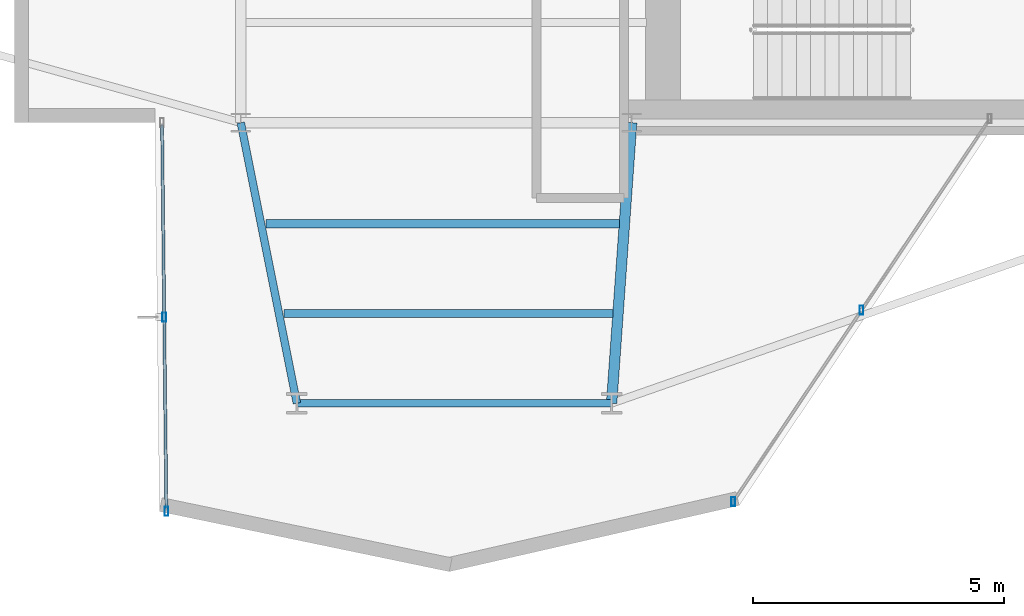
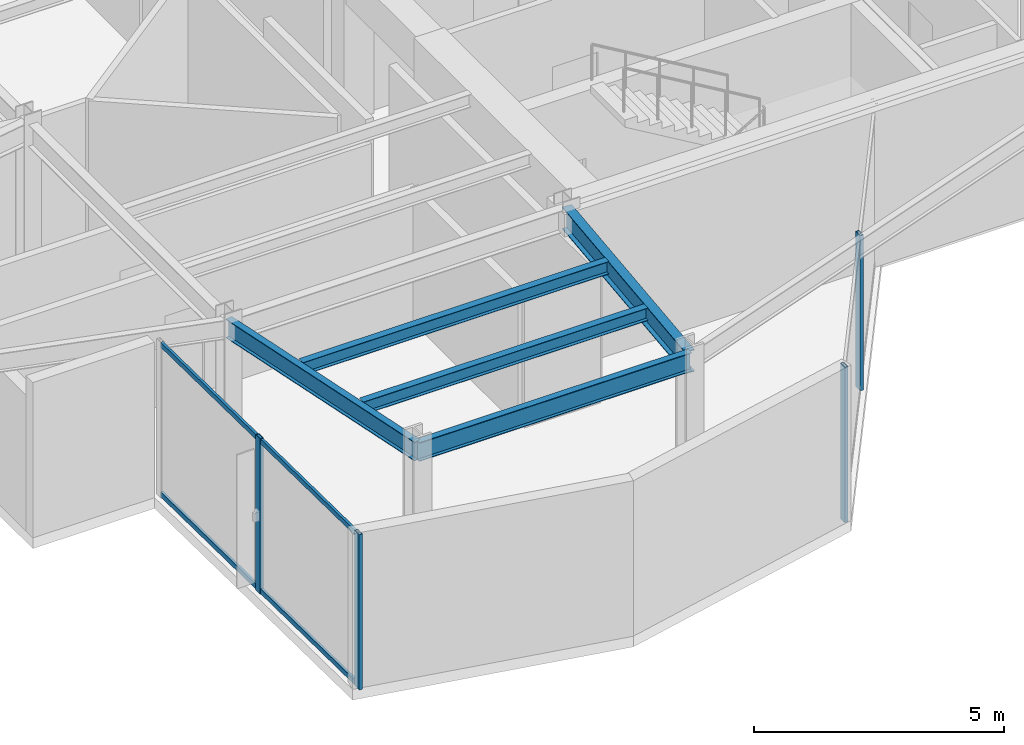
# One storey, part 6 of 22: 6 members, 5 beams, 2 elements without a shape of their own.
"""IFC4 building model written with IfcOpenShell, lengths in metres."""

from ifc_helpers import new_model, si_unit, direction, frame, origin, origin_2d, place, context, subcontext, project, spatial, hollow_rectangle, i_section, extrude, material, layer, layer_set, material_profile, profile_set, type_object, element, aggregate, save


model = new_model("IFC4")

# Units and contexts
model_context = context("Model", 3, precision=1e-05, world=origin(), true_north=direction((0.0, 1.0)))
body_context = subcontext(model_context, "Body", "Model", "MODEL_VIEW")
ifc_project = project(units=[si_unit("LENGTHUNIT", "METRE"), si_unit("AREAUNIT", "SQUARE_METRE"), si_unit("VOLUMEUNIT", "CUBIC_METRE"), si_unit("PLANEANGLEUNIT", "RADIAN"), si_unit("MASSUNIT", "GRAM", prefix="KILO")], contexts=[model_context])

# Site, building, storey
site_placement = place(None, origin())
site = spatial("IfcSite", under=ifc_project, at=site_placement, CompositionType="ELEMENT")
building_placement = place(site_placement, origin())
building = spatial("IfcBuilding", under=site, at=building_placement, Name="Veymaron Broadcast Tower", CompositionType="ELEMENT")
storey_placement = place(building_placement, frame((0.0, 0.0, 208.050048828125)))
storey = spatial("IfcBuildingStorey", under=building, at=storey_placement, Name="L48", CompositionType="ELEMENT", Elevation=208.050048828125)

# Beams
ifc_material_1 = material(Name="Structural steel ASTM A992 Gr 50", Category="steel")
ifc_material_profile_1 = material_profile(ifc_material_1, i_section(OverallWidth=0.2099609375, OverallDepth=0.537109375, WebThickness=0.010986328125, FlangeThickness=0.017333984375, at=origin_2d()), Name="W530X101")
ifc_profile_set_1 = profile_set([ifc_material_profile_1], Name="Structural steel ASTM A992 Gr 50")
beam_type_1 = type_object("IfcBeamType", Name="BM-FG3", PredefinedType="BEAM", material=ifc_profile_set_1)
beam_1_placement = place(storey_placement, frame((39.0, 16.0, 3.521484375), z_axis=(-0.071228508128, -0.997460024076, 0.0), x_axis=(0.997460024076, -0.071228508128, 0.0)))
element("IfcBeam", 1, at=beam_1_placement, inside=storey, type_object=beam_type_1, Name="L48 primary structural floor girder", PredefinedType="BEAM", context=body_context, shape_type="SweptSolid", body=[
    extrude(i_section(OverallWidth=0.2099609375, OverallDepth=0.537109375, WebThickness=0.010986328125, FlangeThickness=0.017333984375, at=origin_2d()), origin(), (0.0, 0.0, 1.0), 5.6142578125),
])
ifc_material_profile_2 = material_profile(ifc_material_1, i_section(OverallWidth=0.1650390625, OverallDepth=0.31005859375, WebThickness=0.005859375, FlangeThickness=0.009765625, at=origin_2d()), Name="W310X39")
ifc_profile_set_2 = profile_set([ifc_material_profile_2], Name="Structural steel ASTM A992 Gr 50")
beam_type_2 = type_object("IfcBeamType", Name="BM-JS3", PredefinedType="JOIST", material=ifc_profile_set_2)
beam_2_placement = place(storey_placement, frame((31.703125, 13.98388671875, 3.635009765625), z_axis=(1.0, 0.0, 0.0), x_axis=(0.0, 1.0, 0.0)))
element("IfcBeam", 2, at=beam_2_placement, inside=storey, type_object=beam_type_2, Name="L48 Arm-C secondary joist 1", PredefinedType="JOIST", context=body_context, shape_type="SweptSolid", body=[
    extrude(i_section(OverallWidth=0.1650390625, OverallDepth=0.31005859375, WebThickness=0.005859375, FlangeThickness=0.009765625, at=origin_2d()), origin(), (0.0, 0.0, 1.0), 7.052978515625),
])
beam_3_placement = place(storey_placement, frame((32.0615234375, 12.19189453125, 3.635009765625), z_axis=(1.0, 0.0, 0.0), x_axis=(0.0, 1.0, 0.0)))
element("IfcBeam", 3, at=beam_3_placement, inside=storey, type_object=beam_type_2, Name="L48 Arm-C secondary joist 2", PredefinedType="JOIST", context=body_context, shape_type="SweptSolid", body=[
    extrude(i_section(OverallWidth=0.1650390625, OverallDepth=0.31005859375, WebThickness=0.005859375, FlangeThickness=0.009765625, at=origin_2d()), origin(), (0.0, 0.0, 1.0), 6.56640625),
])
ifc_material_profile_3 = material_profile(ifc_material_1, i_section(OverallWidth=0.154052734375, OverallDepth=0.458984375, WebThickness=0.009033203125, FlangeThickness=0.015380859375, at=origin_2d()), Name="W460X68")
ifc_profile_set_3 = profile_set([ifc_material_profile_3], Name="Structural steel ASTM A992 Gr 50")
beam_type_3 = type_object("IfcBeamType", Name="BM-SP2", PredefinedType="SPANDREL", material=ifc_profile_set_3)
beam_4_placement = place(storey_placement, frame((31.199951171875, 16.0, 3.560546875), z_axis=(0.196132577048, -0.980577387166, 0.0), x_axis=(0.980577387166, 0.196132577048, 0.0)))
element("IfcBeam", 4, at=beam_4_placement, inside=storey, type_object=beam_type_3, Name="L48 primary structural floor girder", PredefinedType="SPANDREL", context=body_context, shape_type="SweptSolid", body=[
    extrude(i_section(OverallWidth=0.154052734375, OverallDepth=0.458984375, WebThickness=0.009033203125, FlangeThickness=0.015380859375, at=origin_2d()), origin(), (0.0, 0.0, 1.0), 5.7109375),
])
beam_5_placement = place(storey_placement, frame((32.320068359375, 10.39990234375, 3.560546875), z_axis=(1.0, 0.0, 0.0), x_axis=(0.0, 1.0, 0.0)))
element("IfcBeam", 5, at=beam_5_placement, inside=storey, type_object=beam_type_3, Name="L48 primary structural floor girder", PredefinedType="SPANDREL", context=body_context, shape_type="SweptSolid", body=[
    extrude(i_section(OverallWidth=0.154052734375, OverallDepth=0.458984375, WebThickness=0.009033203125, FlangeThickness=0.015380859375, at=origin_2d()), origin(), (0.0, 0.0, 1.0), 6.280029296875),
])

# Curtain wall, members
ifc_material_2 = material(Name="Anodised aluminium AA 6063-T6 and laminated low-E dark glass", Category="aluminium")
ifc_layer = layer(ifc_material_2, 0.179931640625)
ifc_layer_set = layer_set([ifc_layer], Name="Anodised aluminium AA 6063-T6 and laminated low-E dark glass")
curtain_wall_type = type_object("IfcCurtainWallType", Name="CW-SYS-05", PredefinedType="NOTDEFINED", material=ifc_layer_set)
curtain_wall_1_placement = place(storey_placement, origin())
curtain_wall_1 = element("IfcCurtainWall", 6, at=curtain_wall_1_placement, inside=storey, type_object=curtain_wall_type, Name="L48 dark-glass curtain wall CW-L48-E17-1", PredefinedType="NOTDEFINED")
ifc_material_3 = material(Name="Anodised aluminium AA 6063-T6", Category="aluminium")
ifc_material_profile_4 = material_profile(ifc_material_3, hollow_rectangle(XDim=0.074951171875, YDim=0.179931640625, WallThickness=0.0048828125, at=origin_2d()), Name="AL180X75X5")
ifc_profile_set_4 = profile_set([ifc_material_profile_4], Name="Anodised aluminium AA 6063-T6")
member_type_1 = type_object("IfcMemberType", Name="CW-MUL-02", PredefinedType="MULLION", material=ifc_profile_set_4)
member_1_placement = place(storey_placement, frame((29.672119140625, 12.12158203125, 0.0), z_axis=(0.0, 0.0, 1.0), x_axis=(1.0, 0.0, 0.0)))
member_1 = element("IfcMember", 7, at=member_1_placement, type_object=member_type_1, Name="CW-L48-E17-1 mullion 1", PredefinedType="MULLION", context=body_context, shape_type="SweptSolid", body=[
    extrude(hollow_rectangle(XDim=0.074951171875, YDim=0.179931640625, WallThickness=0.0048828125, at=origin_2d()), origin(), (0.0, 0.0, 1.0), 3.7900390625),
])
member_2_placement = place(storey_placement, frame((29.715576171875, 8.24169921875, 0.0), z_axis=(0.0, 0.0, 1.0), x_axis=(1.0, 0.0, 0.0)))
member_2 = element("IfcMember", 8, at=member_2_placement, type_object=member_type_1, Name="CW-L48-E17-1 mullion 2", PredefinedType="MULLION", context=body_context, shape_type="SweptSolid", body=[
    extrude(hollow_rectangle(XDim=0.074951171875, YDim=0.179931640625, WallThickness=0.0048828125, at=origin_2d()), origin(), (0.0, 0.0, 1.0), 3.7900390625),
])

curtain_wall_2_placement = place(storey_placement, origin())
curtain_wall_2 = element("IfcCurtainWall", 9, at=curtain_wall_2_placement, inside=storey, type_object=curtain_wall_type, Name="L48 dark-glass curtain wall CW-L48-E20-1", PredefinedType="NOTDEFINED")
member_3_placement = place(storey_placement, frame((41.0283203125, 8.43798828125, 0.0), z_axis=(0.0, 0.0, 1.0), x_axis=(1.0, 0.0, 0.0)))
member_3 = element("IfcMember", 10, at=member_3_placement, type_object=member_type_1, Name="CW-L48-E20-1 mullion 0", PredefinedType="MULLION", context=body_context, shape_type="SweptSolid", body=[
    extrude(hollow_rectangle(XDim=0.074951171875, YDim=0.179931640625, WallThickness=0.0048828125, at=origin_2d()), origin(), (0.0, 0.0, 1.0), 3.7900390625),
])
member_4_placement = place(storey_placement, frame((43.587890625, 12.2578125, 0.0), z_axis=(0.0, 0.0, 1.0), x_axis=(1.0, 0.0, 0.0)))
member_4 = element("IfcMember", 11, at=member_4_placement, type_object=member_type_1, Name="CW-L48-E20-1 mullion 1", PredefinedType="MULLION", context=body_context, shape_type="SweptSolid", body=[
    extrude(hollow_rectangle(XDim=0.074951171875, YDim=0.179931640625, WallThickness=0.0048828125, at=origin_2d()), origin(), (0.0, 0.0, 1.0), 3.7900390625),
])
aggregate(curtain_wall_2, [member_3, member_4])

# Member
ifc_material_profile_5 = material_profile(ifc_material_3, hollow_rectangle(XDim=0.06005859375, YDim=0.1201171875, WallThickness=0.00390625, at=origin_2d()), Name="AL120X60X4")
ifc_profile_set_5 = profile_set([ifc_material_profile_5], Name="Anodised aluminium AA 6063-T6")
member_type_2 = type_object("IfcMemberType", Name="CW-TRN-02", PredefinedType="USERDEFINED", material=ifc_profile_set_5)
member_5_placement = place(storey_placement, frame((29.62939453125, 15.95166015625, 0.070068359375), z_axis=(0.011154328977, -0.999937788537, 0.0), x_axis=(0.999937788537, 0.011154328977, 0.0)))
member_5 = element("IfcMember", 12, at=member_5_placement, type_object=member_type_2, Name="CW-L48-E17-1 transom B", ObjectType="TRANSOM", PredefinedType="USERDEFINED", context=body_context, shape_type="SweptSolid", body=[
    extrude(hollow_rectangle(XDim=0.06005859375, YDim=0.1201171875, WallThickness=0.00390625, at=origin_2d()), origin(), (0.0, 0.0, 1.0), 7.66064453125),
])

member_6_placement = place(storey_placement, frame((29.62939453125, 15.95166015625, 3.719970703125), z_axis=(0.011154328977, -0.999937788537, 0.0), x_axis=(0.999937788537, 0.011154328977, 0.0)))
member_6 = element("IfcMember", 13, at=member_6_placement, type_object=member_type_2, Name="CW-L48-E17-1 transom T", ObjectType="TRANSOM", PredefinedType="USERDEFINED", context=body_context, shape_type="SweptSolid", body=[
    extrude(hollow_rectangle(XDim=0.06005859375, YDim=0.1201171875, WallThickness=0.00390625, at=origin_2d()), origin(), (0.0, 0.0, 1.0), 7.66064453125),
])

aggregate(curtain_wall_1, [member_1, member_2, member_5, member_6])

save(model, "model.ifc")
